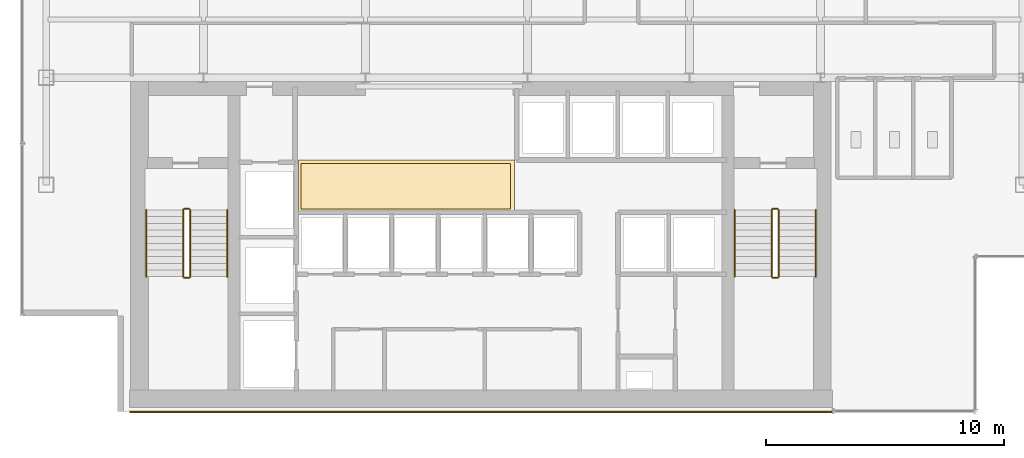
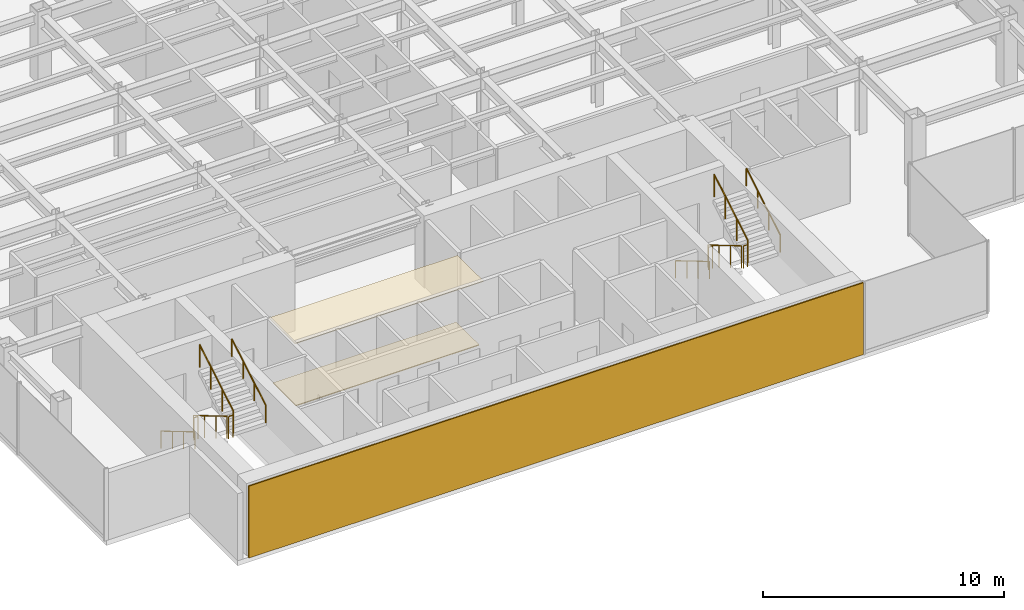
# One storey, part 23 of 25: 12 railings, 3 coverings.
"""IFC4 building model written with IfcOpenShell, lengths in metres."""

from ifc_helpers import new_model, si_unit, derived_unit, direction, frame, origin, origin_2d, place, context, subcontext, project, spatial, polyline, rectangle, circle, outline, extrude, source, transform, mapped, material, layer, layer_set, type_object, element, save


model = new_model("IFC4")

# Units and contexts
model_context = context("Model", 3, precision=1e-05, world=origin(), true_north=direction((0.0, 1.0)))
body_context = subcontext(model_context, "Body", "Model", "MODEL_VIEW")
ifc_project = project(units=[si_unit("LENGTHUNIT", "METRE"), si_unit("AREAUNIT", "SQUARE_METRE"), si_unit("VOLUMEUNIT", "CUBIC_METRE"), si_unit("PLANEANGLEUNIT", "RADIAN"), si_unit("MASSUNIT", "GRAM", prefix="KILO"), derived_unit("THERMALTRANSMITTANCEUNIT", [(si_unit("POWERUNIT", "WATT"), 1), (si_unit("LENGTHUNIT", "METRE"), -2), (si_unit("THERMODYNAMICTEMPERATUREUNIT", "KELVIN"), -1)])], contexts=[model_context])

# Site, building, storey
site_placement = place(None, origin())
site = spatial("IfcSite", under=ifc_project, at=site_placement, CompositionType="ELEMENT")
building_placement = place(site_placement, origin())
building = spatial("IfcBuilding", under=site, at=building_placement, Name="Skarnbrae Concourse Arena and Tower", CompositionType="ELEMENT")
storey_placement = place(building_placement, frame((0.0, 0.0, 177.10009765625)))
storey = spatial("IfcBuildingStorey", under=building, at=storey_placement, Name="L45", CompositionType="ELEMENT", Elevation=177.10009765625)

# Coverings
ifc_material_1 = material(Name="Mineral fibre acoustic ceiling tile", Category="other")
ifc_layer_1 = layer(ifc_material_1, 0.0400390625)
ifc_layer_set_1 = layer_set([ifc_layer_1], Name="Mineral fibre acoustic ceiling tile")
covering_type_1 = type_object("IfcCoveringType", Name="COV-CEIL-ACOUSTIC", PredefinedType="CEILING", material=ifc_layer_set_1)
covering_1_placement = place(storey_placement, frame((0.0, 0.0, 3.239990234375)))
element("IfcCovering", 1, at=covering_1_placement, inside=storey, type_object=covering_type_1, Name="L45 Lift lobby acoustic ceiling", PredefinedType="CEILING", context=body_context, shape_type="SweptSolid", body=[
    extrude(outline(polyline([(11.60009765625, 8.39990234375), (20.64990234375, 8.39990234375), (20.64990234375, 10.550048828125), (11.60009765625, 10.550048828125), (11.60009765625, 8.39990234375)])), origin(), (0.0, 0.0, 1.0), 0.039794921875),
])
ifc_material_2 = material(Name="Polished granite terrazzo flooring", Category="masonry")
ifc_layer_2 = layer(ifc_material_2, 0.0400390625)
ifc_layer_set_2 = layer_set([ifc_layer_2], Name="Polished granite terrazzo flooring")
covering_type_2 = type_object("IfcCoveringType", Name="COV-FLOOR-TERRAZZO", PredefinedType="FLOORING", material=ifc_layer_set_2)
covering_2_placement = place(storey_placement, origin())
element("IfcCovering", 2, at=covering_2_placement, inside=storey, type_object=covering_type_2, Name="L45 Lift lobby terrazzo flooring", PredefinedType="FLOORING", context=body_context, shape_type="SweptSolid", body=[
    extrude(outline(polyline([(11.699951171875, 8.5), (20.5, 8.5), (20.5, 10.39990234375), (11.699951171875, 10.39990234375), (11.699951171875, 8.5)])), origin(), (0.0, 0.0, 1.0), 0.039794921875),
])

# Railings
ifc_material_3 = material(Name="Steel CSA G40.21 350W", Category="steel")
railing_type_1 = type_object("IfcRailingType", Name="RAIL-HANDRAIL-900", PredefinedType="HANDRAIL", material=ifc_material_3)
railing_1_placement = place(storey_placement, frame((5.199951171875, 8.449951171875, 0.165771484375)))
element("IfcRailing", 3, at=railing_1_placement, inside=storey, type_object=railing_type_1, Name="L45 ST-1 stair handrail 1", PredefinedType="HANDRAIL", context=body_context, shape_type="SweptSolid", body=[
    extrude(circle(Radius=0.02392578125, at=origin_2d()), frame((0.0, 0.0, 0.8759765625), z_axis=(0.0, -0.860306154799, 0.50977771628), x_axis=(1.0, 0.0, 0.0)), (0.0, 0.0, 1.0), 3.254638671875),
    extrude(circle(Radius=0.02099609375, at=origin_2d()), origin(), (0.0, 0.0, 1.0), 0.851806640625),
    extrude(circle(Radius=0.02099609375, at=origin_2d()), frame((0.0, -0.933349609375, 0.552978515625)), (0.0, 0.0, 1.0), 0.851806640625),
    extrude(circle(Radius=0.02099609375, at=origin_2d()), frame((0.0, -1.86669921875, 1.106201171875)), (0.0, 0.0, 1.0), 0.851806640625),
    extrude(circle(Radius=0.02099609375, at=origin_2d()), frame((0.0, -2.800048828125, 1.6591796875)), (0.0, 0.0, 1.0), 0.851806640625),
])
railing_2_placement = place(storey_placement, frame((8.60009765625, 5.64990234375, 1.99072265625)))
element("IfcRailing", 4, at=railing_2_placement, inside=storey, type_object=railing_type_1, Name="L45 ST-1 stair handrail 2", PredefinedType="HANDRAIL", context=body_context, shape_type="SweptSolid", body=[
    extrude(circle(Radius=0.02392578125, at=origin_2d()), frame((0.0, 0.0, 0.8759765625), z_axis=(0.0, 0.860306154799, 0.50977771628), x_axis=(-1.0, 0.0, 0.0)), (0.0, 0.0, 1.0), 3.254638671875),
    extrude(circle(Radius=0.02099609375, at=origin_2d()), origin(), (0.0, 0.0, 1.0), 0.851806640625),
    extrude(circle(Radius=0.02099609375, at=origin_2d()), frame((0.0, 0.933349609375, 0.552978515625)), (0.0, 0.0, 1.0), 0.851806640625),
    extrude(circle(Radius=0.02099609375, at=origin_2d()), frame((0.0, 1.86669921875, 1.106201171875)), (0.0, 0.0, 1.0), 0.851806640625),
    extrude(circle(Radius=0.02099609375, at=origin_2d()), frame((0.0, 2.800048828125, 1.6591796875)), (0.0, 0.0, 1.0), 0.851806640625),
])
railing_3_placement = place(storey_placement, frame((29.89990234375, 8.449951171875, 0.165771484375)))
element("IfcRailing", 5, at=railing_3_placement, inside=storey, type_object=railing_type_1, Name="L45 ST-2 stair handrail 1", PredefinedType="HANDRAIL", context=body_context, shape_type="SweptSolid", body=[
    extrude(circle(Radius=0.02392578125, at=origin_2d()), frame((0.0, 0.0, 0.8759765625), z_axis=(0.0, -0.860306154799, 0.50977771628), x_axis=(1.0, 0.0, 0.0)), (0.0, 0.0, 1.0), 3.254638671875),
    extrude(circle(Radius=0.02099609375, at=origin_2d()), origin(), (0.0, 0.0, 1.0), 0.851806640625),
    extrude(circle(Radius=0.02099609375, at=origin_2d()), frame((0.0, -0.933349609375, 0.552978515625)), (0.0, 0.0, 1.0), 0.851806640625),
    extrude(circle(Radius=0.02099609375, at=origin_2d()), frame((0.0, -1.86669921875, 1.106201171875)), (0.0, 0.0, 1.0), 0.851806640625),
    extrude(circle(Radius=0.02099609375, at=origin_2d()), frame((0.0, -2.800048828125, 1.6591796875)), (0.0, 0.0, 1.0), 0.851806640625),
])
railing_4_placement = place(storey_placement, frame((33.300048828125, 5.64990234375, 1.99072265625)))
element("IfcRailing", 6, at=railing_4_placement, inside=storey, type_object=railing_type_1, Name="L45 ST-2 stair handrail 2", PredefinedType="HANDRAIL", context=body_context, shape_type="SweptSolid", body=[
    extrude(circle(Radius=0.02392578125, at=origin_2d()), frame((0.0, 0.0, 0.8759765625), z_axis=(0.0, 0.860306154799, 0.50977771628), x_axis=(-1.0, 0.0, 0.0)), (0.0, 0.0, 1.0), 3.254638671875),
    extrude(circle(Radius=0.02099609375, at=origin_2d()), origin(), (0.0, 0.0, 1.0), 0.851806640625),
    extrude(circle(Radius=0.02099609375, at=origin_2d()), frame((0.0, 0.933349609375, 0.552978515625)), (0.0, 0.0, 1.0), 0.851806640625),
    extrude(circle(Radius=0.02099609375, at=origin_2d()), frame((0.0, 1.86669921875, 1.106201171875)), (0.0, 0.0, 1.0), 0.851806640625),
    extrude(circle(Radius=0.02099609375, at=origin_2d()), frame((0.0, 2.800048828125, 1.6591796875)), (0.0, 0.0, 1.0), 0.851806640625),
])
railing_type_2 = type_object("IfcRailingType", Name="RAIL-STAIR-GUARD-1150", PredefinedType="GUARDRAIL", material=ifc_material_3)
railing_5_placement = place(storey_placement, frame((6.75, 8.449951171875, 0.165771484375)))
element("IfcRailing", 7, at=railing_5_placement, inside=storey, type_object=railing_type_2, Name="L45 ST-1 stair guard 1", PredefinedType="GUARDRAIL", context=body_context, shape_type="SweptSolid", body=[
    extrude(circle(Radius=0.02392578125, at=origin_2d()), frame((0.0, 0.0, 1.1259765625), z_axis=(0.0, -0.860306154799, 0.50977771628), x_axis=(1.0, 0.0, 0.0)), (0.0, 0.0, 1.0), 3.254638671875),
    extrude(circle(Radius=0.02099609375, at=origin_2d()), origin(), (0.0, 0.0, 1.0), 1.101806640625),
    extrude(circle(Radius=0.02099609375, at=origin_2d()), frame((0.0, -0.933349609375, 0.552978515625)), (0.0, 0.0, 1.0), 1.101806640625),
    extrude(circle(Radius=0.02099609375, at=origin_2d()), frame((0.0, -1.86669921875, 1.106201171875)), (0.0, 0.0, 1.0), 1.101806640625),
    extrude(circle(Radius=0.02099609375, at=origin_2d()), frame((0.0, -2.800048828125, 1.6591796875)), (0.0, 0.0, 1.0), 1.101806640625),
])
railing_6_placement = place(storey_placement, frame((6.800048828125, 5.60009765625, 1.824951171875)))
element("IfcRailing", 8, at=railing_6_placement, inside=storey, type_object=railing_type_2, Name="L45 ST-1 stair guard 2", PredefinedType="GUARDRAIL", context=body_context, shape_type="SweptSolid", body=[
    extrude(circle(Radius=0.02392578125, at=origin_2d()), frame((0.0, 0.0, 1.1259765625), z_axis=(1.0, 0.0, 0.0), x_axis=(0.0, 1.0, 0.0)), (0.0, 0.0, 1.0), 0.199951171875),
    extrude(circle(Radius=0.02099609375, at=origin_2d()), origin(), (0.0, 0.0, 1.0), 1.101806640625),
    extrude(circle(Radius=0.02099609375, at=origin_2d()), frame((0.199951171875, 0.0, 0.0)), (0.0, 0.0, 1.0), 1.101806640625),
])
railing_7_placement = place(storey_placement, frame((7.050048828125, 5.64990234375, 1.99072265625)))
element("IfcRailing", 9, at=railing_7_placement, inside=storey, type_object=railing_type_2, Name="L45 ST-1 stair guard 3", PredefinedType="GUARDRAIL", context=body_context, shape_type="SweptSolid", body=[
    extrude(circle(Radius=0.02392578125, at=origin_2d()), frame((0.0, 0.0, 1.1259765625), z_axis=(0.0, 0.860306154799, 0.50977771628), x_axis=(-1.0, 0.0, 0.0)), (0.0, 0.0, 1.0), 3.254638671875),
    extrude(circle(Radius=0.02099609375, at=origin_2d()), origin(), (0.0, 0.0, 1.0), 1.101806640625),
    extrude(circle(Radius=0.02099609375, at=origin_2d()), frame((0.0, 0.933349609375, 0.552978515625)), (0.0, 0.0, 1.0), 1.101806640625),
    extrude(circle(Radius=0.02099609375, at=origin_2d()), frame((0.0, 1.86669921875, 1.106201171875)), (0.0, 0.0, 1.0), 1.101806640625),
    extrude(circle(Radius=0.02099609375, at=origin_2d()), frame((0.0, 2.800048828125, 1.6591796875)), (0.0, 0.0, 1.0), 1.101806640625),
])
railing_8_placement = place(storey_placement, frame((6.800048828125, 8.5, 0.0)))
element("IfcRailing", 10, at=railing_8_placement, inside=storey, type_object=railing_type_2, Name="L45 ST-1 stair guard 4", PredefinedType="GUARDRAIL", context=body_context, shape_type="SweptSolid", body=[
    extrude(circle(Radius=0.02392578125, at=origin_2d()), frame((0.0, 0.0, 1.1259765625), z_axis=(1.0, 0.0, 0.0), x_axis=(0.0, 1.0, 0.0)), (0.0, 0.0, 1.0), 0.199951171875),
    extrude(circle(Radius=0.02099609375, at=origin_2d()), origin(), (0.0, 0.0, 1.0), 1.101806640625),
    extrude(circle(Radius=0.02099609375, at=origin_2d()), frame((0.199951171875, 0.0, 0.0)), (0.0, 0.0, 1.0), 1.101806640625),
])
railing_9_placement = place(storey_placement, frame((31.449951171875, 8.449951171875, 0.165771484375)))
element("IfcRailing", 11, at=railing_9_placement, inside=storey, type_object=railing_type_2, Name="L45 ST-2 stair guard 1", PredefinedType="GUARDRAIL", context=body_context, shape_type="SweptSolid", body=[
    extrude(circle(Radius=0.02392578125, at=origin_2d()), frame((0.0, 0.0, 1.1259765625), z_axis=(0.0, -0.860306154799, 0.50977771628), x_axis=(1.0, 0.0, 0.0)), (0.0, 0.0, 1.0), 3.254638671875),
    extrude(circle(Radius=0.02099609375, at=origin_2d()), origin(), (0.0, 0.0, 1.0), 1.101806640625),
    extrude(circle(Radius=0.02099609375, at=origin_2d()), frame((0.0, -0.933349609375, 0.552978515625)), (0.0, 0.0, 1.0), 1.101806640625),
    extrude(circle(Radius=0.02099609375, at=origin_2d()), frame((0.0, -1.86669921875, 1.106201171875)), (0.0, 0.0, 1.0), 1.101806640625),
    extrude(circle(Radius=0.02099609375, at=origin_2d()), frame((0.0, -2.800048828125, 1.6591796875)), (0.0, 0.0, 1.0), 1.101806640625),
])
railing_10_placement = place(storey_placement, frame((31.5, 5.60009765625, 1.824951171875)))
element("IfcRailing", 12, at=railing_10_placement, inside=storey, type_object=railing_type_2, Name="L45 ST-2 stair guard 2", PredefinedType="GUARDRAIL", context=body_context, shape_type="SweptSolid", body=[
    extrude(circle(Radius=0.02392578125, at=origin_2d()), frame((0.0, 0.0, 1.1259765625), z_axis=(1.0, 0.0, 0.0), x_axis=(0.0, 1.0, 0.0)), (0.0, 0.0, 1.0), 0.199951171875),
    extrude(circle(Radius=0.02099609375, at=origin_2d()), origin(), (0.0, 0.0, 1.0), 1.101806640625),
    extrude(circle(Radius=0.02099609375, at=origin_2d()), frame((0.199951171875, 0.0, 0.0)), (0.0, 0.0, 1.0), 1.101806640625),
])
railing_11_placement = place(storey_placement, frame((31.75, 5.64990234375, 1.99072265625)))
element("IfcRailing", 13, at=railing_11_placement, inside=storey, type_object=railing_type_2, Name="L45 ST-2 stair guard 3", PredefinedType="GUARDRAIL", context=body_context, shape_type="SweptSolid", body=[
    extrude(circle(Radius=0.02392578125, at=origin_2d()), frame((0.0, 0.0, 1.1259765625), z_axis=(0.0, 0.860306154799, 0.50977771628), x_axis=(-1.0, 0.0, 0.0)), (0.0, 0.0, 1.0), 3.254638671875),
    extrude(circle(Radius=0.02099609375, at=origin_2d()), origin(), (0.0, 0.0, 1.0), 1.101806640625),
    extrude(circle(Radius=0.02099609375, at=origin_2d()), frame((0.0, 0.933349609375, 0.552978515625)), (0.0, 0.0, 1.0), 1.101806640625),
    extrude(circle(Radius=0.02099609375, at=origin_2d()), frame((0.0, 1.86669921875, 1.106201171875)), (0.0, 0.0, 1.0), 1.101806640625),
    extrude(circle(Radius=0.02099609375, at=origin_2d()), frame((0.0, 2.800048828125, 1.6591796875)), (0.0, 0.0, 1.0), 1.101806640625),
])
railing_12_placement = place(storey_placement, frame((31.5, 8.5, 0.0)))
element("IfcRailing", 14, at=railing_12_placement, inside=storey, type_object=railing_type_2, Name="L45 ST-2 stair guard 4", PredefinedType="GUARDRAIL", context=body_context, shape_type="SweptSolid", body=[
    extrude(circle(Radius=0.02392578125, at=origin_2d()), frame((0.0, 0.0, 1.1259765625), z_axis=(1.0, 0.0, 0.0), x_axis=(0.0, 1.0, 0.0)), (0.0, 0.0, 1.0), 0.199951171875),
    extrude(circle(Radius=0.02099609375, at=origin_2d()), origin(), (0.0, 0.0, 1.0), 1.101806640625),
    extrude(circle(Radius=0.02099609375, at=origin_2d()), frame((0.199951171875, 0.0, 0.0)), (0.0, 0.0, 1.0), 1.101806640625),
])

# Covering
ifc_material_4 = material(Name="Bronze anodised aluminium 6063-T6", Category="aluminium")
ifc_layer_3 = layer(ifc_material_4, 0.06005859375)
ifc_layer_set_3 = layer_set([ifc_layer_3], Name="Bronze anodised aluminium 6063-T6")
covering_type_3 = type_object("IfcCoveringType", Name="COV-CLAD-BRONZE-60", PredefinedType="CLADDING", material=ifc_layer_set_3)
shared_shape = source(origin(), body_context, "Body", "SweptSolid", [
    extrude(rectangle(XDim=29.5, YDim=0.06005859375, at=origin_2d()), origin(), (0.0, 0.0, 1.0), 3.64990234375),
])
covering_3_placement = place(storey_placement, frame((19.25, -0.030029296875, 0.0), z_axis=(0.0, 0.0, 1.0), x_axis=(1.0, 0.0, 0.0)))
element("IfcCovering", 15, at=covering_3_placement, inside=storey, type_object=covering_type_3, Name="L45 Rear-core plumb spine bronze rainscreen panel", PredefinedType="CLADDING", context=body_context, shape_type="MappedRepresentation", body=[
    mapped(shared_shape, transform((0.0, 0.0, 0.0))),
])

save(model, "model.ifc")
